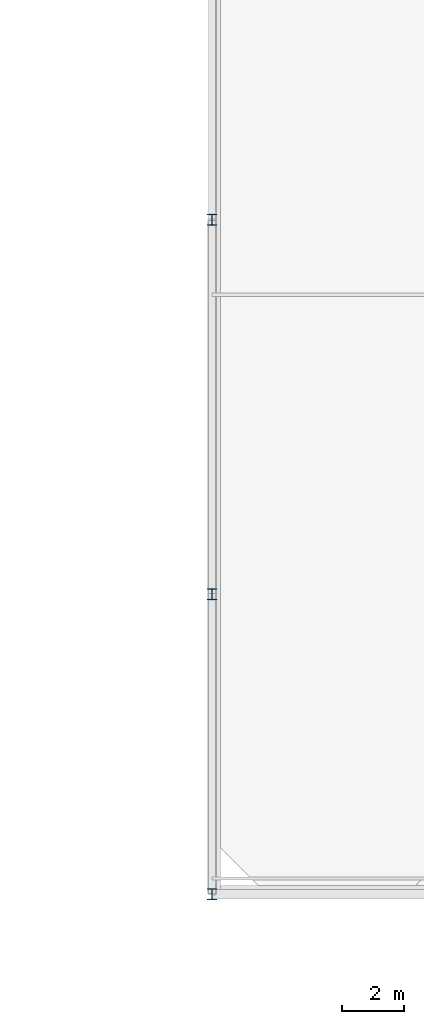
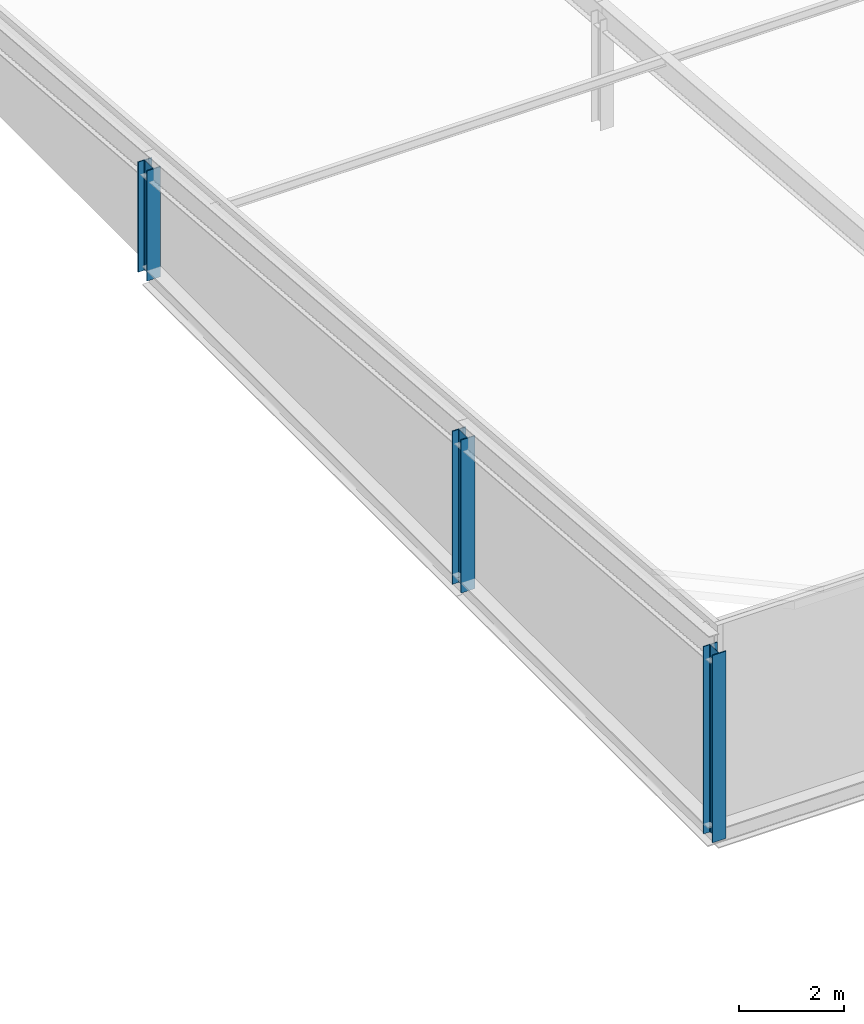
# One storey, part 13 of 79: 3 columns.
"""IFC4 building model written with IfcOpenShell, lengths in metres."""

from ifc_helpers import new_model, si_unit, direction, frame, origin, origin_2d, place, context, subcontext, project, spatial, i_section, extrude, material, material_profile, profile_set, type_object, element, save


model = new_model("IFC4")

# Units and contexts
model_context = context("Model", 3, precision=1e-05, world=origin(), true_north=direction((0.0, 1.0)))
body_context = subcontext(model_context, "Body", "Model", "MODEL_VIEW")
ifc_project = project(units=[si_unit("LENGTHUNIT", "METRE"), si_unit("AREAUNIT", "SQUARE_METRE"), si_unit("VOLUMEUNIT", "CUBIC_METRE"), si_unit("PLANEANGLEUNIT", "RADIAN"), si_unit("MASSUNIT", "GRAM", prefix="KILO")], contexts=[model_context])

# Site, building, storey
site_placement = place(None, origin())
site = spatial("IfcSite", under=ifc_project, at=site_placement, CompositionType="ELEMENT")
building_placement = place(site_placement, origin())
building = spatial("IfcBuilding", under=site, at=building_placement, Name="Zereglee Splitstone Museum", CompositionType="ELEMENT")
storey_placement = place(building_placement, frame((0.0, 0.0, 9.0)))
storey = spatial("IfcBuildingStorey", under=building, at=storey_placement, Name="L02", CompositionType="ELEMENT", Elevation=9.0)

# Columns
ifc_material = material(Name="Steel S355J2", Category="steel")
ifc_material_profile = material_profile(ifc_material, i_section(OverallWidth=0.300048828125, OverallDepth=0.360107421875, WebThickness=0.012451171875, FlangeThickness=0.0224609375, FilletRadius=0.027099609375, at=origin_2d()), Name="HE 360 B")
ifc_profile_set = profile_set([ifc_material_profile], Name="Steel S355J2")
column_type = type_object("IfcColumnType", Name="C-16", PredefinedType="COLUMN", material=ifc_profile_set)
column_1_placement = place(storey_placement, frame((256.0, 0.0, 0.0), z_axis=(0.0, 0.0, 1.0), x_axis=(1.0, 0.0, 0.0)))
element("IfcColumn", 1, at=column_1_placement, inside=storey, type_object=column_type, Name="Roof Support Column RF-V5 (256.0,0.0)", PredefinedType="COLUMN", context=body_context, shape_type="SweptSolid", body=[
    extrude(i_section(OverallWidth=0.300048828125, OverallDepth=0.360107421875, WebThickness=0.012451171875, FlangeThickness=0.0224609375, FilletRadius=0.027099609375, at=origin_2d()), origin(), (0.0, 0.0, 1.0), 4.368408203125),
])
column_2_placement = place(storey_placement, frame((256.0, 9.60009765625, 0.0), z_axis=(0.0, 0.0, 1.0), x_axis=(1.0, 0.0, 0.0)))
element("IfcColumn", 2, at=column_2_placement, inside=storey, type_object=column_type, Name="Roof Support Column RF-V5 (256.0,9.6)", PredefinedType="COLUMN", context=body_context, shape_type="SweptSolid", body=[
    extrude(i_section(OverallWidth=0.300048828125, OverallDepth=0.360107421875, WebThickness=0.012451171875, FlangeThickness=0.0224609375, FilletRadius=0.027099609375, at=origin_2d()), origin(), (0.0, 0.0, 1.0), 3.568359375),
])
column_3_placement = place(storey_placement, frame((256.0, 21.60009765625, 0.0), z_axis=(0.0, 0.0, 1.0), x_axis=(1.0, 0.0, 0.0)))
element("IfcColumn", 3, at=column_3_placement, inside=storey, type_object=column_type, Name="Roof Support Column RF-V5 (256.0,21.6)", PredefinedType="COLUMN", context=body_context, shape_type="SweptSolid", body=[
    extrude(i_section(OverallWidth=0.300048828125, OverallDepth=0.360107421875, WebThickness=0.012451171875, FlangeThickness=0.0224609375, FilletRadius=0.027099609375, at=origin_2d()), origin(), (0.0, 0.0, 1.0), 2.568359375),
])

save(model, "model.ifc")
